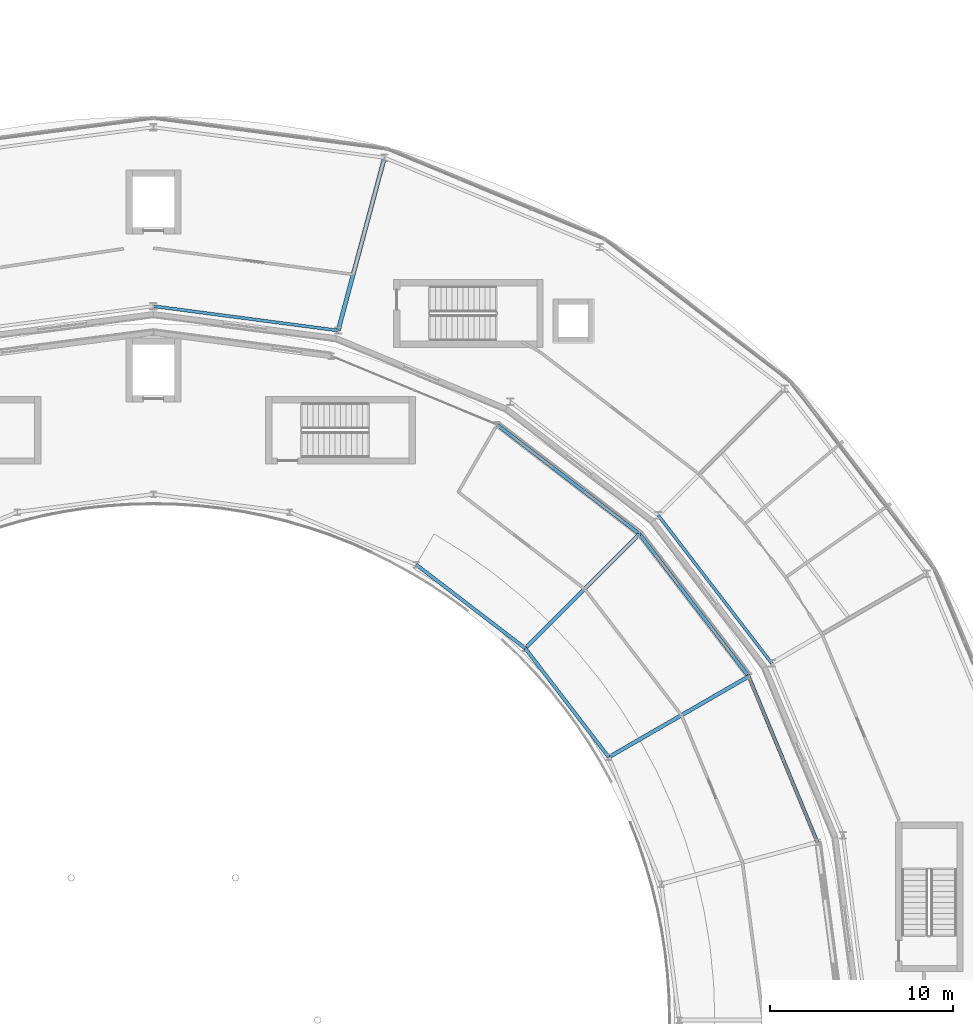
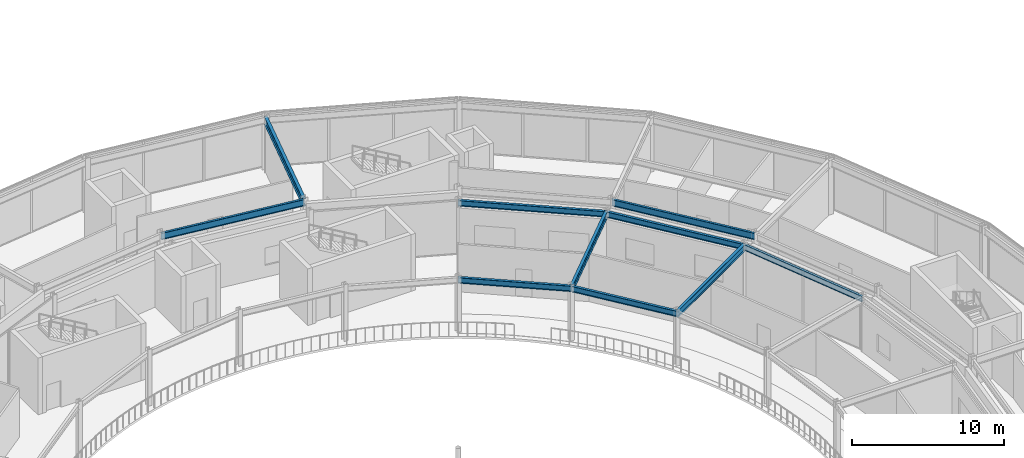
# One storey, part 77 of 157: 10 beams.
"""IFC4 building model written with IfcOpenShell, lengths in metres."""

import ifcopenshell
import ifcopenshell.guid

model = None  # the IFC model being written
_history = None  # IfcOwnerHistory: only IFC2X3 demands one
_inside = {}  # id of a spatial element -> (the spatial element, [elements in it])
_under = {}  # id of a project, library or spatial element -> (it, [spatial elements below it])
_declared = {}  # id of a project -> (the project, [libraries it declares])
_typed = {}  # id of a type object -> (the type object, [elements of that type])
_made_of = {}  # id of a material, layer set ... -> (it, [elements and type objects made of it])


def new_model(schema):
    """Start an empty IFC model of exactly this schema.

    Asked for "IFC4X3", IfcOpenShell would pick the latest addendum, in which some entities
    have other attributes; the version numbers below select the first issue.
    IFC2X3 requires an IfcOwnerHistory on every rooted entity: one is made here for all.
    """
    global model, _history
    if schema == "IFC4X3":
        model = ifcopenshell.file(schema_version=(4, 3, 0, 0))
    else:
        model = ifcopenshell.file(schema=schema)
    _inside.clear()
    _under.clear()
    _declared.clear()
    _typed.clear()
    _made_of.clear()
    _history = None
    if model.schema == "IFC2X3":
        org = make("IfcOrganization", Name="unknown")
        user = make(
            "IfcPersonAndOrganization",
            ThePerson=make("IfcPerson", FamilyName="unknown"),
            TheOrganization=org,
        )
        app = make(
            "IfcApplication",
            ApplicationDeveloper=org,
            Version="unknown",
            ApplicationFullName="unknown",
            ApplicationIdentifier="unknown",
        )
        _history = make(
            "IfcOwnerHistory",
            OwningUser=user,
            OwningApplication=app,
            ChangeAction="ADDED",
            CreationDate=0,
        )
    return model


def make(cls, **values):
    """One entity of the class cls with the attributes given. An attribute that is None is left unset."""
    return model.create_entity(
        cls, **{name: value for name, value in values.items() if value is not None}
    )


def rooted(cls, **values):
    """An entity with a GlobalId (a new one), such as an element, a storey or a relation."""
    return make(cls, GlobalId=ifcopenshell.guid.new(), OwnerHistory=_history, **values)


def si_unit(unit_type, name, prefix=None):
    """IfcSIUnit, for example si_unit("LENGTHUNIT", "METRE", prefix="MILLI")."""
    return make("IfcSIUnit", UnitType=unit_type, Prefix=prefix, Name=name)


def assignment(units):
    """IfcUnitAssignment: the units of a project."""
    return None if units is None else make("IfcUnitAssignment", Units=units)


def point(xyz):
    """IfcCartesianPoint."""
    return None if xyz is None else make("IfcCartesianPoint", Coordinates=xyz)


def direction(xyz):
    """IfcDirection."""
    return None if xyz is None else make("IfcDirection", DirectionRatios=xyz)


def frame(location, z_axis=None, x_axis=None):
    """IfcAxis2Placement3D, a coordinate frame: its origin and axes. An axis left out is left unset."""
    return make(
        "IfcAxis2Placement3D",
        Location=point(location),
        Axis=direction(z_axis),
        RefDirection=direction(x_axis),
    )


def frame_2d(location, x_axis=None):
    """IfcAxis2Placement2D, a coordinate frame in the plane: its origin and x axis."""
    return make(
        "IfcAxis2Placement2D", Location=point(location), RefDirection=direction(x_axis)
    )


def origin():
    """The frame at (0, 0, 0) with its axes left unset."""
    return frame((0.0, 0.0, 0.0))


def origin_2d():
    """The frame at (0, 0) in the plane with its x axis left unset."""
    return frame_2d((0.0, 0.0))


def place(relative_to, where):
    """IfcLocalPlacement: puts the frame where relative to a parent placement (None: the world)."""
    return make(
        "IfcLocalPlacement", PlacementRelTo=relative_to, RelativePlacement=where
    )


def context(
    kind, dimensions, precision=None, world=None, true_north=None, identifier=None
):
    """IfcGeometricRepresentationContext, for example the 3D "Model" context."""
    return make(
        "IfcGeometricRepresentationContext",
        ContextIdentifier=identifier,
        ContextType=kind,
        CoordinateSpaceDimension=dimensions,
        Precision=precision,
        WorldCoordinateSystem=world,
        TrueNorth=true_north,
    )


def subcontext(parent, identifier, kind, view, scale=None):
    """IfcGeometricRepresentationSubContext, for example "Body" below "Model"."""
    return make(
        "IfcGeometricRepresentationSubContext",
        ContextIdentifier=identifier,
        ContextType=kind,
        ParentContext=parent,
        TargetScale=scale,
        TargetView=view,
    )


def project(units=None, contexts=None):
    """IfcProject with its units and contexts."""
    return rooted(
        "IfcProject",
        Name="project",
        RepresentationContexts=contexts,
        UnitsInContext=assignment(units),
    )


def spatial(cls, under=None, at=None, **own):
    """A site, building, storey or space (cls), placed at a placement, below another one or the project."""
    s = rooted(cls, ObjectPlacement=at, **own)
    if under is not None:
        _under.setdefault(under.id(), (under, []))[1].append(s)
    return s


def profile(cls, at=None, kind="AREA", **sizes):
    """A parametric profile (cls). Its sizes go by their IFC names, for example OverallWidth=200.0."""
    return make(cls, ProfileType=kind, Position=at, **sizes)


def i_section(**sizes):
    """IfcIShapeProfileDef."""
    return profile("IfcIShapeProfileDef", **sizes)


def extrude(swept, where, along, depth):
    """IfcExtrudedAreaSolid: the profile swept, set in the frame where, extruded along a direction by depth."""
    return make(
        "IfcExtrudedAreaSolid",
        SweptArea=swept,
        Position=where,
        ExtrudedDirection=direction(along),
        Depth=depth,
    )


def shape(context_of_items, identifier, shape_type, items):
    """IfcShapeRepresentation: the items that make up one representation, for example the "Body"."""
    return make(
        "IfcShapeRepresentation",
        ContextOfItems=context_of_items,
        RepresentationIdentifier=identifier,
        RepresentationType=shape_type,
        Items=items,
    )


def material(Name=None, Category=None):
    """IfcMaterial."""
    return make("IfcMaterial", Name=Name, Category=Category)


def material_profile(
    of_material, cross_section, Name=None, Category=None, Priority=None
):
    """IfcMaterialProfile: a cross section and its material."""
    return make(
        "IfcMaterialProfile",
        Name=Name,
        Material=of_material,
        Profile=cross_section,
        Priority=Priority,
        Category=Category,
    )


def profile_set(profiles, Name=None, composite=None):
    """IfcMaterialProfileSet."""
    return make(
        "IfcMaterialProfileSet",
        Name=Name,
        MaterialProfiles=profiles,
        CompositeProfile=composite,
    )


def made_of(thing, what):
    """Note that an element or type object is made of a material, layer set ...; save() writes the relation."""
    if what is not None:
        _made_of.setdefault(what.id(), (what, []))[1].append(thing)
    return thing


def type_object(cls, material=None, **own):
    """A type object (cls), such as IfcWallType, which elements share."""
    return made_of(rooted(cls, **own), material)


def element(
    cls,
    number,
    at=None,
    inside=None,
    cuts=None,
    type_object=None,
    material=None,
    context=None,
    identifier="Body",
    shape_type=None,
    held_by="IfcProductDefinitionShape",
    body=None,
    shapes=None,
    **own,
):
    """One element of the class cls, such as IfcWall. Its Tag is "e" and its number.

    at: its placement. inside: the storey or other place that contains it. cuts: it is an
    opening in that element (IfcRelVoidsElement). A single representation is given by context,
    identifier, shape_type and body (its items); several are given by shapes. held_by: the class
    of the entity that holds the representations. save() writes the other relations.
    """
    e = rooted(cls, Tag="e%d" % number, ObjectPlacement=at, **own)
    if body is not None:
        shapes = [shape(context, identifier, shape_type, body)]
    if shapes is not None:
        e.Representation = make(held_by, Representations=shapes)
    if inside is not None:
        _inside.setdefault(inside.id(), (inside, []))[1].append(e)
    if cuts is not None:
        rooted(
            "IfcRelVoidsElement", RelatingBuildingElement=cuts, RelatedOpeningElement=e
        )
    if type_object is not None:
        _typed.setdefault(type_object.id(), (type_object, []))[1].append(e)
    return made_of(e, material)


def aggregate(whole, parts):
    """IfcRelAggregates: a whole, such as a stair, and the parts it consists of."""
    return rooted("IfcRelAggregates", RelatingObject=whole, RelatedObjects=parts)


def save(model, path):
    """Write the relations noted so far, then the file.

    IfcRelAggregates (storeys below a building ...), IfcRelContainedInSpatialStructure (elements
    in a storey), IfcRelDefinesByType, IfcRelAssociatesMaterial and IfcRelDeclares: one each for
    every whole, place, type object, material and project.
    """
    for whole, parts in _under.values():
        aggregate(whole, parts)
    for where, things in _inside.values():
        rooted(
            "IfcRelContainedInSpatialStructure",
            RelatedElements=things,
            RelatingStructure=where,
        )
    for kind, things in _typed.values():
        rooted("IfcRelDefinesByType", RelatedObjects=things, RelatingType=kind)
    for what, things in _made_of.values():
        rooted("IfcRelAssociatesMaterial", RelatedObjects=things, RelatingMaterial=what)
    for by, libraries in _declared.values():
        rooted("IfcRelDeclares", RelatingContext=by, RelatedDefinitions=libraries)
    model.write(path)


model = new_model("IFC4")

# Units and contexts
model_context = context("Model", 3, precision=1e-05, world=origin(), true_north=direction((0.0, 1.0)))
body_context = subcontext(model_context, "Body", "Model", "MODEL_VIEW")
ifc_project = project(units=[si_unit("LENGTHUNIT", "METRE"), si_unit("AREAUNIT", "SQUARE_METRE"), si_unit("VOLUMEUNIT", "CUBIC_METRE"), si_unit("PLANEANGLEUNIT", "RADIAN"), si_unit("MASSUNIT", "GRAM", prefix="KILO")], contexts=[model_context])

# Site, building, storey
site_placement = place(None, origin())
site = spatial("IfcSite", under=ifc_project, at=site_placement, CompositionType="ELEMENT")
building_placement = place(site_placement, origin())
building = spatial("IfcBuilding", under=site, at=building_placement, Name="Almandine Court Research Institute", CompositionType="ELEMENT")
storey_placement = place(building_placement, frame((0.0, 0.0, 5.25)))
storey = spatial("IfcBuildingStorey", under=building, at=storey_placement, Name="L01", CompositionType="ELEMENT", Elevation=5.25)

# Beams
ifc_material = material(Name="Steel ASTM A992 Grade 50", Category="steel")
ifc_material_profile_1 = material_profile(ifc_material, i_section(OverallWidth=0.18994140625, OverallDepth=0.45703125, WebThickness=0.009033203125, FlangeThickness=0.014892578125, at=origin_2d()), Name="W460x74")
ifc_profile_set_1 = profile_set([ifc_material_profile_1], Name="Steel ASTM A992 Grade 50")
beam_type_1 = type_object("IfcBeamType", Name="Beam-B-01", PredefinedType="BEAM", material=ifc_profile_set_1)
beam_1_placement = place(storey_placement, frame((123.366943359375, 65.7451171875, 4.14111328125), z_axis=(-0.382683080424, 0.92387967829, 0.0), x_axis=(-0.92387967829, -0.382683080424, 0.0)))
element("IfcBeam", 1, at=beam_1_placement, inside=storey, type_object=beam_type_1, Name="L01 Atrium Outer Ring Beam", PredefinedType="BEAM", context=body_context, shape_type="SweptSolid", body=[
    extrude(i_section(OverallWidth=0.18994140625, OverallDepth=0.45703125, WebThickness=0.009033203125, FlangeThickness=0.014892578125, at=origin_2d()), origin(), (0.0, 0.0, 1.0), 9.827880859375),
])
beam_2_placement = place(storey_placement, frame((119.60595703125, 74.824951171875, 4.14111328125), z_axis=(-0.608711534396, 0.793391623282, 0.0), x_axis=(-0.793391623282, -0.608711534396, 0.0)))
element("IfcBeam", 2, at=beam_2_placement, inside=storey, type_object=beam_type_1, Name="L01 Atrium Outer Ring Beam", PredefinedType="BEAM", context=body_context, shape_type="SweptSolid", body=[
    extrude(i_section(OverallWidth=0.18994140625, OverallDepth=0.45703125, WebThickness=0.009033203125, FlangeThickness=0.014892578125, at=origin_2d()), origin(), (0.0, 0.0, 1.0), 9.828857421875),
])
beam_3_placement = place(storey_placement, frame((111.94189453125, 70.39990234375, 4.14111328125), z_axis=(-0.608738941187, 0.793370595297, 0.0), x_axis=(-0.793370595297, -0.608738941187, 0.0)))
element("IfcBeam", 3, at=beam_3_placement, inside=storey, type_object=beam_type_1, Name="L01 Atrium Gallery Edge Beam", PredefinedType="BEAM", context=body_context, shape_type="SweptSolid", body=[
    extrude(i_section(OverallWidth=0.18994140625, OverallDepth=0.45703125, WebThickness=0.009033203125, FlangeThickness=0.014892578125, at=origin_2d()), origin(), (0.0, 0.0, 1.0), 7.5185546875),
])
beam_4_placement = place(storey_placement, frame((113.623046875, 82.623046875, 4.14111328125), z_axis=(-0.793391623282, 0.608711534396, 0.0), x_axis=(-0.608711534396, -0.793391623282, 0.0)))
element("IfcBeam", 4, at=beam_4_placement, inside=storey, type_object=beam_type_1, Name="L01 Atrium Outer Ring Beam", PredefinedType="BEAM", context=body_context, shape_type="SweptSolid", body=[
    extrude(i_section(OverallWidth=0.18994140625, OverallDepth=0.45703125, WebThickness=0.009033203125, FlangeThickness=0.014892578125, at=origin_2d()), origin(), (0.0, 0.0, 1.0), 9.828857421875),
])
beam_5_placement = place(storey_placement, frame((107.364990234375, 76.364990234375, 4.14111328125), z_axis=(-0.793370595297, 0.608738941187, 0.0), x_axis=(-0.608738941187, -0.793370595297, 0.0)))
element("IfcBeam", 5, at=beam_5_placement, inside=storey, type_object=beam_type_1, Name="L01 Atrium Gallery Edge Beam", PredefinedType="BEAM", context=body_context, shape_type="SweptSolid", body=[
    extrude(i_section(OverallWidth=0.18994140625, OverallDepth=0.45703125, WebThickness=0.009033203125, FlangeThickness=0.014892578125, at=origin_2d()), origin(), (0.0, 0.0, 1.0), 7.5185546875),
])
ifc_material_profile_2 = material_profile(ifc_material, i_section(OverallWidth=0.22998046875, OverallDepth=0.616943359375, WebThickness=0.012939453125, FlangeThickness=0.02197265625, at=origin_2d()), Name="W610x140")
ifc_profile_set_2 = profile_set([ifc_material_profile_2], Name="Steel ASTM A992 Grade 50")
beam_type_2 = type_object("IfcBeamType", Name="Beam-G-02", PredefinedType="BEAM", material=ifc_profile_set_2)
beam_6_placement = place(storey_placement, frame((97.1201171875, 93.76806640625, 4.06103515625), z_axis=(0.258774274024, 0.965937821551, 0.0), x_axis=(-0.965937821551, 0.258774274024, 0.0)))
element("IfcBeam", 6, at=beam_6_placement, inside=storey, type_object=beam_type_2, Name="L01 Drum Radial Girder 05", PredefinedType="BEAM", context=body_context, shape_type="SweptSolid", body=[
    extrude(i_section(OverallWidth=0.22998046875, OverallDepth=0.616943359375, WebThickness=0.012939453125, FlangeThickness=0.02197265625, at=origin_2d()), origin(), (0.0, 0.0, 1.0), 9.799560546875),
])
ifc_material_profile_3 = material_profile(ifc_material, i_section(OverallWidth=0.2109375, OverallDepth=0.5390625, WebThickness=0.011962890625, FlangeThickness=0.01904296875, at=origin_2d()), Name="W530x109")
ifc_profile_set_3 = profile_set([ifc_material_profile_3], Name="Steel ASTM A992 Grade 50")
beam_type_3 = type_object("IfcBeamType", Name="Beam-G-04", PredefinedType="BEAM", material=ifc_profile_set_3)
beam_7_placement = place(storey_placement, frame((111.94189453125, 70.39990234375, 4.10009765625), z_axis=(0.866015604063, 0.50001697323, 0.0), x_axis=(-0.50001697323, 0.866015604063, 0.0)))
element("IfcBeam", 7, at=beam_7_placement, inside=storey, type_object=beam_type_3, Name="L01 Atrium Gallery Radial Girder", PredefinedType="BEAM", context=body_context, shape_type="SweptSolid", body=[
    extrude(i_section(OverallWidth=0.2109375, OverallDepth=0.5390625, WebThickness=0.011962890625, FlangeThickness=0.01904296875, at=origin_2d()), origin(), (0.0, 0.0, 1.0), 8.849853515625),
])
beam_8_placement = place(storey_placement, frame((107.364990234375, 76.364990234375, 4.10009765625), z_axis=(0.707106781187, 0.707106781187, 0.0), x_axis=(-0.707106781187, 0.707106781187, 0.0)))
element("IfcBeam", 8, at=beam_8_placement, inside=storey, type_object=beam_type_3, Name="L01 Atrium Gallery Radial Girder", PredefinedType="BEAM", context=body_context, shape_type="SweptSolid", body=[
    extrude(i_section(OverallWidth=0.2109375, OverallDepth=0.5390625, WebThickness=0.011962890625, FlangeThickness=0.01904296875, at=origin_2d()), origin(), (0.0, 0.0, 1.0), 8.850341796875),
])
ifc_material_profile_4 = material_profile(ifc_material, i_section(OverallWidth=0.166015625, OverallDepth=0.534912109375, WebThickness=0.010009765625, FlangeThickness=0.01708984375, at=origin_2d()), Name="W530x85")
ifc_profile_set_4 = profile_set([ifc_material_profile_4], Name="Steel ASTM A992 Grade 50")
beam_type_4 = type_object("IfcBeamType", Name="Beam-G-05-E", PredefinedType="SPANDREL", material=ifc_profile_set_4)
for number, where, z_axis, x_axis, name in (
    (9, (120.862060546875, 75.550048828125, 4.10205078125), (-0.608784478787, 0.793335653042, 0.0), (-0.793335653042, -0.608784478787, 0.0), "L01 Drum IN Ring Beam 02"),
    (10, (97.1201171875, 93.76806640625, 4.10205078125), (-0.991448758831, 0.130496584681, 0.0), (-0.130496584681, -0.991448758831, 0.0), "L01 Drum IN Ring Beam 05"),
):
    element("IfcBeam", number, at=place(storey_placement, frame(where, z_axis=z_axis, x_axis=x_axis)), inside=storey, type_object=beam_type_4, Name=name, PredefinedType="SPANDREL", context=body_context, shape_type="SweptSolid", body=[
        extrude(i_section(OverallWidth=0.166015625, OverallDepth=0.534912109375, WebThickness=0.010009765625, FlangeThickness=0.01708984375, at=origin_2d()), origin(), (0.0, 0.0, 1.0), 10.20751953125),
    ])

save(model, "model.ifc")
